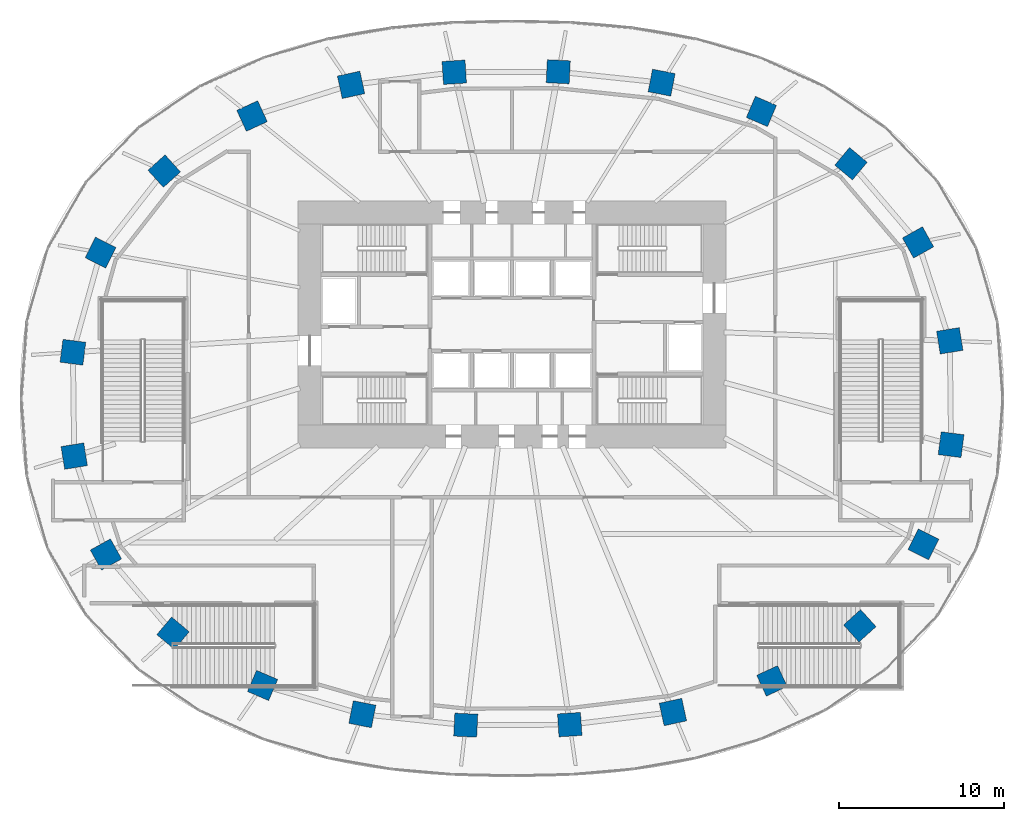
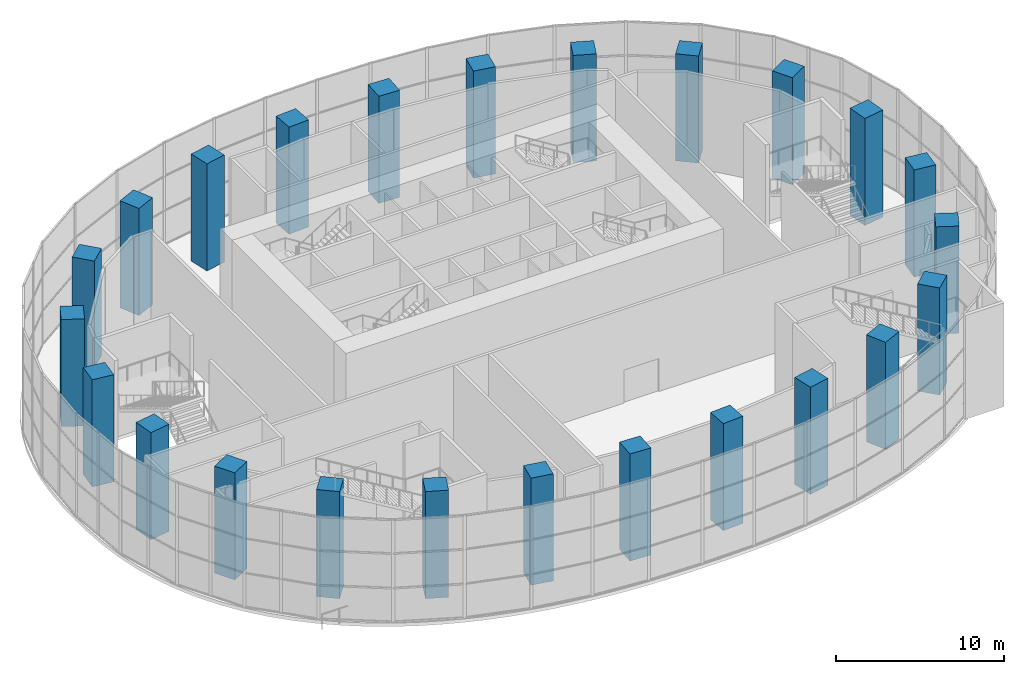
# One storey, part 1 of 22: 24 columns.
"""IFC4 building model written with IfcOpenShell, lengths in metres."""

from ifc_helpers import new_model, si_unit, direction, frame, origin, origin_2d, place, context, subcontext, project, spatial, rectangle, extrude, material, material_profile, profile_set, type_object, element, save


model = new_model("IFC4")

# Units and contexts
model_context = context("Model", 3, precision=1e-05, world=origin(), true_north=direction((0.0, 1.0)))
body_context = subcontext(model_context, "Body", "Model", "MODEL_VIEW")
ifc_project = project(units=[si_unit("LENGTHUNIT", "METRE"), si_unit("AREAUNIT", "SQUARE_METRE"), si_unit("VOLUMEUNIT", "CUBIC_METRE"), si_unit("PLANEANGLEUNIT", "RADIAN"), si_unit("MASSUNIT", "GRAM", prefix="KILO")], contexts=[model_context])

# Site, building, storey
site_placement = place(None, origin())
site = spatial("IfcSite", under=ifc_project, at=site_placement, CompositionType="ELEMENT")
building_placement = place(site_placement, origin())
building = spatial("IfcBuilding", under=site, at=building_placement, Name="Rubra Terraces Tower", CompositionType="ELEMENT")
storey_placement = place(building_placement, frame((0.0, 0.0, 15.0)))
storey = spatial("IfcBuildingStorey", under=building, at=storey_placement, Name="L02", CompositionType="ELEMENT", Elevation=15.0)

# Columns
ifc_material = material(Name="Concrete C60", Category="concrete")
ifc_material_profile = material_profile(ifc_material, rectangle(XDim=1.39990234375, YDim=1.39990234375, at=origin_2d()), Name="RC 1400x1400")
ifc_profile_set = profile_set([ifc_material_profile], Name="Concrete C60")
column_type = type_object("IfcColumnType", Name="RING COLUMN RC 1400x1400 C60", PredefinedType="COLUMN", material=ifc_profile_set)
for number, where, z_axis, x_axis, name in (
    (1, (26.60498046875, 3.5029296875, 0.0), (0.0, 0.0, 1.0), (-0.161234051287, 0.986916197408, 0.0), "column-L02-ring-01"),
    (2, (24.676025390625, 9.48291015625, 0.0), (0.0, 0.0, 1.0), (-0.487226597714, 0.873275582208, 0.0), "column-L02-ring-02"),
    (3, (20.60009765625, 14.26611328125, 0.0), (0.0, 0.0, 1.0), (-0.767209547574, 0.641396531104, 0.0), "column-L02-ring-03"),
    (4, (15.156982421875, 17.44091796875, 0.0), (0.0, 0.0, 1.0), (-0.919293738002, 0.393572132232, 0.0), "column-L02-ring-04"),
    (5, (9.093994140625, 19.19189453125, 0.0), (0.0, 0.0, 1.0), (-0.981430410798, 0.191818530806, 0.0), "column-L02-ring-05"),
    (6, (2.81103515625, 19.85400390625, 0.0), (0.0, 0.0, 1.0), (-0.99874501614, 0.050083857035, 0.0), "column-L02-ring-06"),
    (7, (-3.509033203125, 19.823974609375, 0.0), (0.0, 0.0, 1.0), (-0.9980076013, -0.063093801177, 0.0), "column-L02-ring-07"),
    (8, (-9.780029296875, 19.05810546875, 0.0), (0.0, 0.0, 1.0), (-0.977386186482, -0.211462153764, 0.0), "column-L02-ring-08"),
    (9, (-15.799072265625, 17.1650390625, 0.0), (0.0, 0.0, 1.0), (-0.907952363445, -0.419073389413, 0.0), "column-L02-ring-09"),
    (10, (-21.135009765625, 13.81689453125, 0.0), (0.0, 0.0, 1.0), (-0.742675944539, -0.66965098477, 0.0), "column-L02-ring-10"),
    (11, (-25.0029296875, 8.865966796875, 0.0), (0.0, 0.0, 1.0), (-0.450098906028, -0.892978709036, 0.0), "column-L02-ring-11"),
    (12, (-26.68408203125, 2.80810546875, 0.0), (0.0, 0.0, 1.0), (-0.128444510405, -0.991716697322, 0.0), "column-L02-ring-12"),
    (13, (-26.60498046875, -3.5029296875, 0.0), (0.0, 0.0, 1.0), (0.161234051287, -0.986916197408, 0.0), "column-L02-ring-13"),
    (14, (-24.676025390625, -9.48291015625, 0.0), (0.0, 0.0, 1.0), (0.487226597714, -0.873275582208, 0.0), "column-L02-ring-14"),
    (15, (-20.60009765625, -14.26611328125, 0.0), (0.0, 0.0, 1.0), (0.767209547574, -0.641396531104, 0.0), "column-L02-ring-15"),
    (16, (-15.156982421875, -17.44091796875, 0.0), (0.0, 0.0, 1.0), (0.919293738002, -0.393572132232, 0.0), "column-L02-ring-16"),
    (17, (-9.093994140625, -19.19189453125, 0.0), (0.0, 0.0, 1.0), (0.981430410798, -0.191818530806, 0.0), "column-L02-ring-17"),
    (18, (-2.81103515625, -19.85400390625, 0.0), (0.0, 0.0, 1.0), (0.99874501614, -0.050083857035, 0.0), "column-L02-ring-18"),
    (19, (3.509033203125, -19.823974609375, 0.0), (0.0, 0.0, 1.0), (0.9980076013, 0.063093801177, 0.0), "column-L02-ring-19"),
    (20, (9.780029296875, -19.05810546875, 0.0), (0.0, 0.0, 1.0), (0.977386186482, 0.211462153764, 0.0), "column-L02-ring-20"),
    (21, (15.799072265625, -17.1650390625, 0.0), (0.0, 0.0, 1.0), (0.907952363445, 0.419073389413, 0.0), "column-L02-ring-21"),
    (22, (21.135009765625, -13.81689453125, 0.0), (0.0, 0.0, 1.0), (0.742675944539, 0.66965098477, 0.0), "column-L02-ring-22"),
    (23, (25.0029296875, -8.865966796875, 0.0), (0.0, 0.0, 1.0), (0.450098906028, 0.892978709036, 0.0), "column-L02-ring-23"),
    (24, (26.68408203125, -2.80810546875, 0.0), (0.0, 0.0, 1.0), (0.128444510405, 0.991716697322, 0.0), "column-L02-ring-24"),
):
    element("IfcColumn", number, at=place(storey_placement, frame(where, z_axis=z_axis, x_axis=x_axis)), inside=storey, type_object=column_type, Name=name, PredefinedType="COLUMN", context=body_context, shape_type="SweptSolid", body=[
        extrude(rectangle(XDim=1.39990234375, YDim=1.39990234375, at=origin_2d()), origin(), (0.0, 0.0, 1.0), 7.800048828125),
    ])

save(model, "model.ifc")
